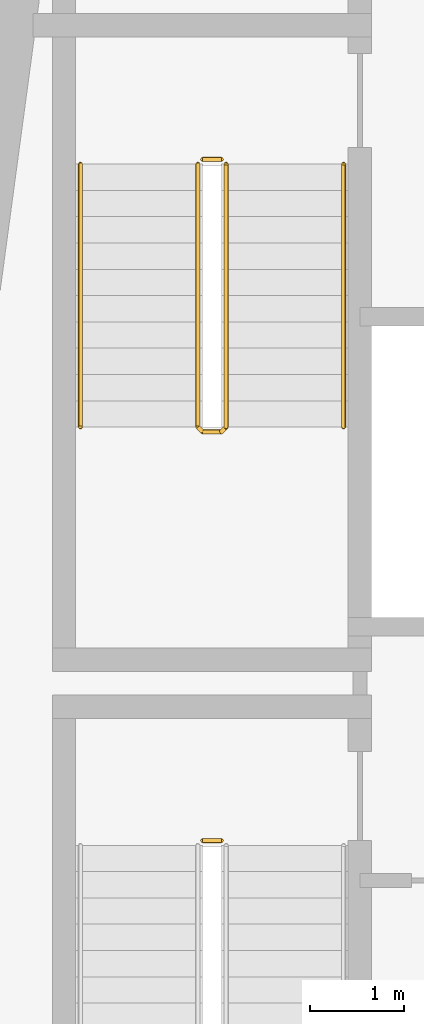
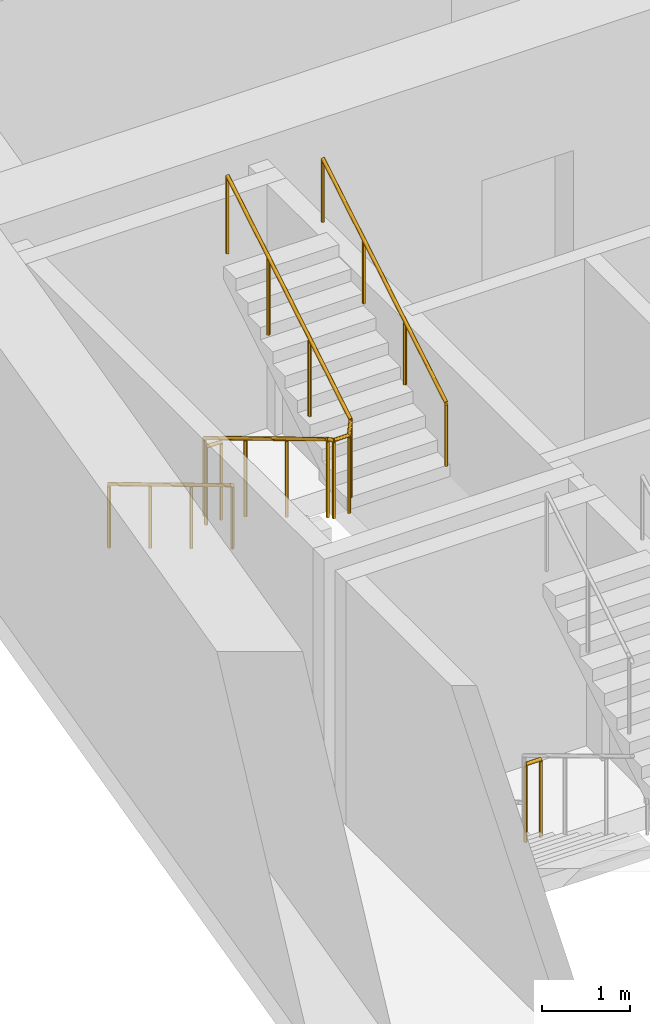
# One storey, part 10 of 13: 5 railings.
"""IFC4 building model written with IfcOpenShell, lengths in metres."""

from ifc_helpers import new_model, si_unit, direction, frame, origin, origin_2d, place, context, subcontext, project, spatial, circle, extrude, material, type_object, element, save


model = new_model("IFC4")

# Units and contexts
model_context = context("Model", 3, precision=1e-05, world=origin(), true_north=direction((0.0, 1.0)))
body_context = subcontext(model_context, "Body", "Model", "MODEL_VIEW")
ifc_project = project(units=[si_unit("LENGTHUNIT", "METRE"), si_unit("AREAUNIT", "SQUARE_METRE"), si_unit("VOLUMEUNIT", "CUBIC_METRE"), si_unit("PLANEANGLEUNIT", "RADIAN"), si_unit("MASSUNIT", "GRAM", prefix="KILO")], contexts=[model_context])

# Site, building, storey
site_placement = place(None, origin())
site = spatial("IfcSite", under=ifc_project, at=site_placement, CompositionType="ELEMENT")
building_placement = place(site_placement, origin())
building = spatial("IfcBuilding", under=site, at=building_placement, Name="Candeia Pilgrim Tower and Theatre", CompositionType="ELEMENT")
storey_placement = place(building_placement, frame((0.0, 0.0, 181.10009765625)))
storey = spatial("IfcBuildingStorey", under=building, at=storey_placement, Name="L43", CompositionType="ELEMENT", Elevation=181.10009765625)

# Railings
ifc_material_1 = material(Name="Stainless steel balustrade", Category="steel")
railing_type_1 = type_object("IfcRailingType", Name="RL-GUARD-1100", PredefinedType="GUARDRAIL", material=ifc_material_1)
railing_1_placement = place(storey_placement, frame((91.152099609375, 122.52490234375, 0.0)))
element("IfcRailing", 1, at=railing_1_placement, inside=storey, type_object=railing_type_1, Name="L43 ST1 stair guard 2", PredefinedType="GUARDRAIL", context=body_context, shape_type="SweptSolid", body=[
    extrude(circle(Radius=0.02392578125, at=origin_2d()), frame((0.0, 0.0, 1.076171875), z_axis=(1.0, 0.0, 0.0), x_axis=(0.0, 1.0, 0.0)), (0.0, 0.0, 1.0), 0.199951171875),
    extrude(circle(Radius=0.02099609375, at=origin_2d()), origin(), (0.0, 0.0, 1.0), 1.052001953125),
    extrude(circle(Radius=0.02099609375, at=origin_2d()), frame((0.199951171875, 0.0, 0.0)), (0.0, 0.0, 1.0), 1.052001953125),
])
railing_2_placement = place(storey_placement, frame((91.10205078125, 129.72509765625, 0.16796875)))
element("IfcRailing", 2, at=railing_2_placement, inside=storey, type_object=railing_type_1, Name="L43 ST2 stair guard 1", PredefinedType="GUARDRAIL", context=body_context, shape_type="SweptSolid", body=[
    extrude(circle(Radius=0.02392578125, at=origin_2d()), frame((0.0, 0.0, 1.076171875), z_axis=(0.0, -0.857242210791, 0.514913383045), x_axis=(1.0, 0.0, 0.0)), (0.0, 0.0, 1.0), 3.266357421875),
    extrude(circle(Radius=0.02392578125, at=origin_2d()), frame((0.0, -2.800048828125, 2.7578125), z_axis=(0.707106781187, -0.707106781187, 0.0), x_axis=(0.707106781187, 0.707106781187, 0.0)), (0.0, 0.0, 1.0), 0.07080078125),
    extrude(circle(Radius=0.02392578125, at=origin_2d()), frame((0.050048828125, -2.85009765625, 2.7578125), z_axis=(1.0, 0.0, 0.0), x_axis=(0.0, 1.0, 0.0)), (0.0, 0.0, 1.0), 0.199951171875),
    extrude(circle(Radius=0.02392578125, at=origin_2d()), frame((0.25, -2.85009765625, 2.7578125), z_axis=(0.274243871929, 0.274243871929, 0.92172696468), x_axis=(-0.707106781187, 0.707106781187, 0.0)), (0.0, 0.0, 1.0), 0.1826171875),
    extrude(circle(Radius=0.02392578125, at=origin_2d()), frame((0.300048828125, -2.800048828125, 2.92626953125), z_axis=(0.0, 0.857242210791, 0.514913383045), x_axis=(-1.0, 0.0, 0.0)), (0.0, 0.0, 1.0), 3.266357421875),
    extrude(circle(Radius=0.02099609375, at=origin_2d()), origin(), (0.0, 0.0, 1.0), 1.052001953125),
    extrude(circle(Radius=0.02099609375, at=origin_2d()), frame((0.0, -0.933349609375, 0.560546875)), (0.0, 0.0, 1.0), 1.052001953125),
    extrude(circle(Radius=0.02099609375, at=origin_2d()), frame((0.0, -1.86669921875, 1.121337890625)), (0.0, 0.0, 1.0), 1.052001953125),
    extrude(circle(Radius=0.02099609375, at=origin_2d()), frame((0.0, -2.800048828125, 1.681884765625)), (0.0, 0.0, 1.0), 1.052001953125),
    extrude(circle(Radius=0.02099609375, at=origin_2d()), frame((0.050048828125, -2.85009765625, 1.681884765625)), (0.0, 0.0, 1.0), 1.052001953125),
    extrude(circle(Radius=0.02099609375, at=origin_2d()), frame((0.25, -2.85009765625, 1.681884765625)), (0.0, 0.0, 1.0), 1.052001953125),
    extrude(circle(Radius=0.02099609375, at=origin_2d()), frame((0.300048828125, -2.800048828125, 1.85009765625)), (0.0, 0.0, 1.0), 1.052001953125),
    extrude(circle(Radius=0.02099609375, at=origin_2d()), frame((0.300048828125, -1.86669921875, 2.41064453125)), (0.0, 0.0, 1.0), 1.052001953125),
    extrude(circle(Radius=0.02099609375, at=origin_2d()), frame((0.300048828125, -0.933349609375, 2.971435546875)), (0.0, 0.0, 1.0), 1.052001953125),
    extrude(circle(Radius=0.02099609375, at=origin_2d()), frame((0.300048828125, 0.0, 3.531982421875)), (0.0, 0.0, 1.0), 1.052001953125),
])
railing_3_placement = place(storey_placement, frame((91.152099609375, 129.77490234375, 0.0)))
element("IfcRailing", 3, at=railing_3_placement, inside=storey, type_object=railing_type_1, Name="L43 ST2 stair guard 2", PredefinedType="GUARDRAIL", context=body_context, shape_type="SweptSolid", body=[
    extrude(circle(Radius=0.02392578125, at=origin_2d()), frame((0.0, 0.0, 1.076171875), z_axis=(1.0, 0.0, 0.0), x_axis=(0.0, 1.0, 0.0)), (0.0, 0.0, 1.0), 0.199951171875),
    extrude(circle(Radius=0.02099609375, at=origin_2d()), origin(), (0.0, 0.0, 1.0), 1.052001953125),
    extrude(circle(Radius=0.02099609375, at=origin_2d()), frame((0.199951171875, 0.0, 0.0)), (0.0, 0.0, 1.0), 1.052001953125),
])
ifc_material_2 = material(Name="Stainless steel handrail", Category="steel")
railing_type_2 = type_object("IfcRailingType", Name="RL-HANDRAIL-900", PredefinedType="HANDRAIL", material=ifc_material_2)
railing_4_placement = place(storey_placement, frame((89.85205078125, 129.72509765625, 0.16796875)))
element("IfcRailing", 4, at=railing_4_placement, inside=storey, type_object=railing_type_2, Name="L43 ST2 stair handrail 1", PredefinedType="HANDRAIL", context=body_context, shape_type="SweptSolid", body=[
    extrude(circle(Radius=0.02392578125, at=origin_2d()), frame((0.0, 0.0, 0.8759765625), z_axis=(0.0, -0.857242210791, 0.514913383045), x_axis=(1.0, 0.0, 0.0)), (0.0, 0.0, 1.0), 3.266357421875),
    extrude(circle(Radius=0.02099609375, at=origin_2d()), origin(), (0.0, 0.0, 1.0), 0.851806640625),
    extrude(circle(Radius=0.02099609375, at=origin_2d()), frame((0.0, -0.933349609375, 0.560546875)), (0.0, 0.0, 1.0), 0.851806640625),
    extrude(circle(Radius=0.02099609375, at=origin_2d()), frame((0.0, -1.86669921875, 1.121337890625)), (0.0, 0.0, 1.0), 0.851806640625),
    extrude(circle(Radius=0.02099609375, at=origin_2d()), frame((0.0, -2.800048828125, 1.681884765625)), (0.0, 0.0, 1.0), 0.851806640625),
])
railing_5_placement = place(storey_placement, frame((92.652099609375, 126.925048828125, 2.01806640625)))
element("IfcRailing", 5, at=railing_5_placement, inside=storey, type_object=railing_type_2, Name="L43 ST2 stair handrail 2", PredefinedType="HANDRAIL", context=body_context, shape_type="SweptSolid", body=[
    extrude(circle(Radius=0.02392578125, at=origin_2d()), frame((0.0, 0.0, 0.8759765625), z_axis=(0.0, 0.857242210791, 0.514913383045), x_axis=(-1.0, 0.0, 0.0)), (0.0, 0.0, 1.0), 3.266357421875),
    extrude(circle(Radius=0.02099609375, at=origin_2d()), origin(), (0.0, 0.0, 1.0), 0.851806640625),
    extrude(circle(Radius=0.02099609375, at=origin_2d()), frame((0.0, 0.933349609375, 0.560546875)), (0.0, 0.0, 1.0), 0.851806640625),
    extrude(circle(Radius=0.02099609375, at=origin_2d()), frame((0.0, 1.86669921875, 1.121337890625)), (0.0, 0.0, 1.0), 0.851806640625),
    extrude(circle(Radius=0.02099609375, at=origin_2d()), frame((0.0, 2.800048828125, 1.681884765625)), (0.0, 0.0, 1.0), 0.851806640625),
])

save(model, "model.ifc")
